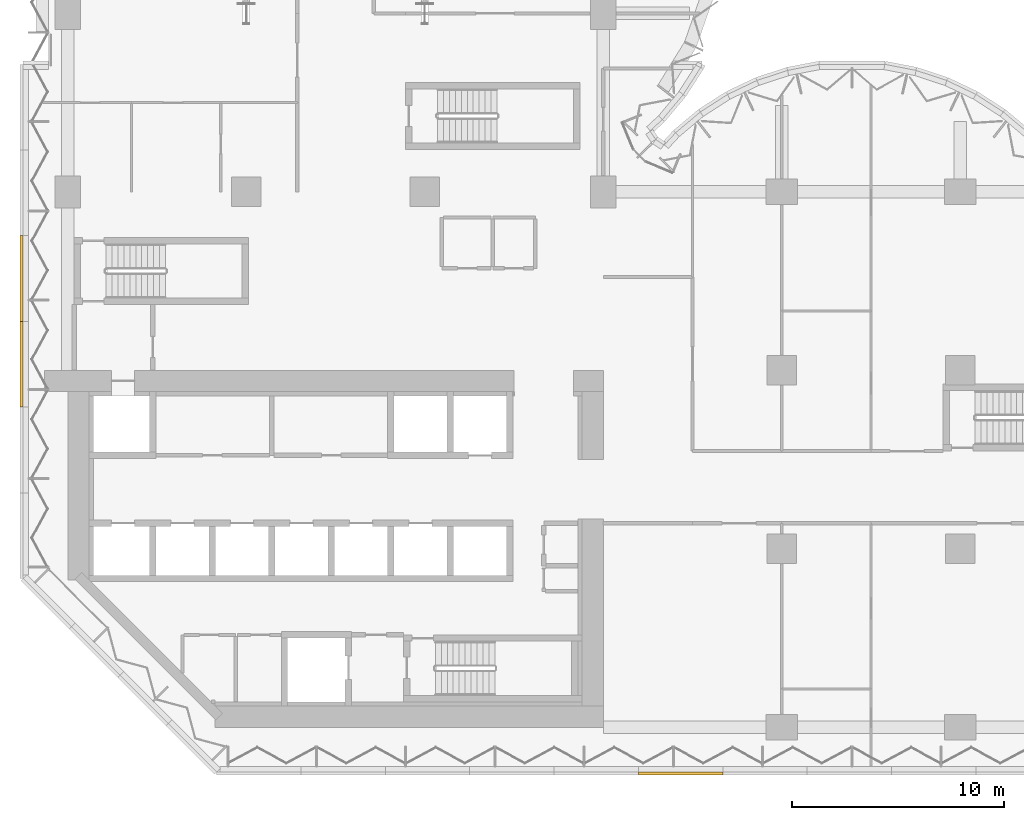
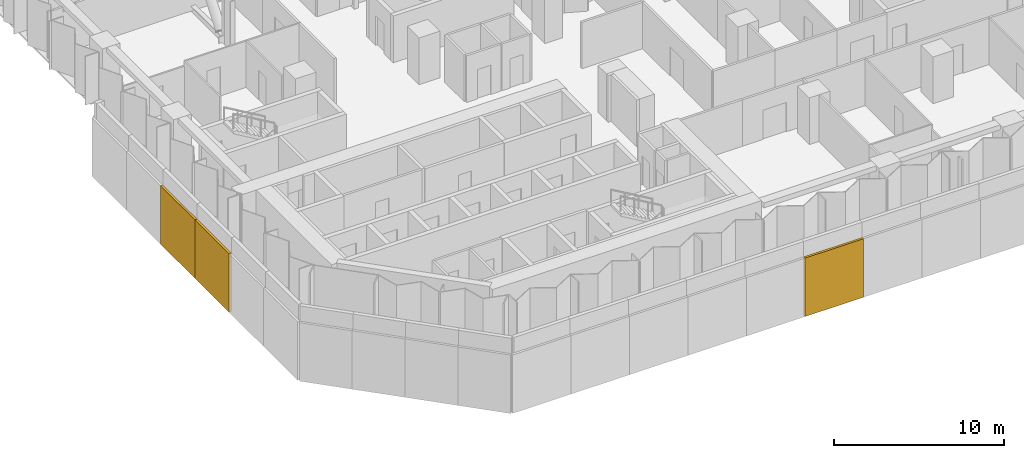
# One storey, part 18 of 24: 3 coverings.
"""IFC4 building model written with IfcOpenShell, lengths in metres."""

import ifcopenshell
import ifcopenshell.guid

model = None  # the IFC model being written
_history = None  # IfcOwnerHistory: only IFC2X3 demands one
_inside = {}  # id of a spatial element -> (the spatial element, [elements in it])
_under = {}  # id of a project, library or spatial element -> (it, [spatial elements below it])
_declared = {}  # id of a project -> (the project, [libraries it declares])
_typed = {}  # id of a type object -> (the type object, [elements of that type])
_made_of = {}  # id of a material, layer set ... -> (it, [elements and type objects made of it])


def new_model(schema):
    """Start an empty IFC model of exactly this schema.

    Asked for "IFC4X3", IfcOpenShell would pick the latest addendum, in which some entities
    have other attributes; the version numbers below select the first issue.
    IFC2X3 requires an IfcOwnerHistory on every rooted entity: one is made here for all.
    """
    global model, _history
    if schema == "IFC4X3":
        model = ifcopenshell.file(schema_version=(4, 3, 0, 0))
    else:
        model = ifcopenshell.file(schema=schema)
    _inside.clear()
    _under.clear()
    _declared.clear()
    _typed.clear()
    _made_of.clear()
    _history = None
    if model.schema == "IFC2X3":
        org = make("IfcOrganization", Name="unknown")
        user = make(
            "IfcPersonAndOrganization",
            ThePerson=make("IfcPerson", FamilyName="unknown"),
            TheOrganization=org,
        )
        app = make(
            "IfcApplication",
            ApplicationDeveloper=org,
            Version="unknown",
            ApplicationFullName="unknown",
            ApplicationIdentifier="unknown",
        )
        _history = make(
            "IfcOwnerHistory",
            OwningUser=user,
            OwningApplication=app,
            ChangeAction="ADDED",
            CreationDate=0,
        )
    return model


def make(cls, **values):
    """One entity of the class cls with the attributes given. An attribute that is None is left unset."""
    return model.create_entity(
        cls, **{name: value for name, value in values.items() if value is not None}
    )


def rooted(cls, **values):
    """An entity with a GlobalId (a new one), such as an element, a storey or a relation."""
    return make(cls, GlobalId=ifcopenshell.guid.new(), OwnerHistory=_history, **values)


def si_unit(unit_type, name, prefix=None):
    """IfcSIUnit, for example si_unit("LENGTHUNIT", "METRE", prefix="MILLI")."""
    return make("IfcSIUnit", UnitType=unit_type, Prefix=prefix, Name=name)


def assignment(units):
    """IfcUnitAssignment: the units of a project."""
    return None if units is None else make("IfcUnitAssignment", Units=units)


def point(xyz):
    """IfcCartesianPoint."""
    return None if xyz is None else make("IfcCartesianPoint", Coordinates=xyz)


def direction(xyz):
    """IfcDirection."""
    return None if xyz is None else make("IfcDirection", DirectionRatios=xyz)


def frame(location, z_axis=None, x_axis=None):
    """IfcAxis2Placement3D, a coordinate frame: its origin and axes. An axis left out is left unset."""
    return make(
        "IfcAxis2Placement3D",
        Location=point(location),
        Axis=direction(z_axis),
        RefDirection=direction(x_axis),
    )


def origin():
    """The frame at (0, 0, 0) with its axes left unset."""
    return frame((0.0, 0.0, 0.0))


def place(relative_to, where):
    """IfcLocalPlacement: puts the frame where relative to a parent placement (None: the world)."""
    return make(
        "IfcLocalPlacement", PlacementRelTo=relative_to, RelativePlacement=where
    )


def context(
    kind, dimensions, precision=None, world=None, true_north=None, identifier=None
):
    """IfcGeometricRepresentationContext, for example the 3D "Model" context."""
    return make(
        "IfcGeometricRepresentationContext",
        ContextIdentifier=identifier,
        ContextType=kind,
        CoordinateSpaceDimension=dimensions,
        Precision=precision,
        WorldCoordinateSystem=world,
        TrueNorth=true_north,
    )


def subcontext(parent, identifier, kind, view, scale=None):
    """IfcGeometricRepresentationSubContext, for example "Body" below "Model"."""
    return make(
        "IfcGeometricRepresentationSubContext",
        ContextIdentifier=identifier,
        ContextType=kind,
        ParentContext=parent,
        TargetScale=scale,
        TargetView=view,
    )


def project(units=None, contexts=None):
    """IfcProject with its units and contexts."""
    return rooted(
        "IfcProject",
        Name="project",
        RepresentationContexts=contexts,
        UnitsInContext=assignment(units),
    )


def spatial(cls, under=None, at=None, **own):
    """A site, building, storey or space (cls), placed at a placement, below another one or the project."""
    s = rooted(cls, ObjectPlacement=at, **own)
    if under is not None:
        _under.setdefault(under.id(), (under, []))[1].append(s)
    return s


def polyline(points):
    """IfcPolyline through the points."""
    return make("IfcPolyline", Points=[point(p) for p in points])


def outline(outer, holes=None, kind="AREA"):
    """IfcArbitraryClosedProfileDef: a profile drawn as a closed curve; with holes, ...WithVoids."""
    if holes is None:
        return make("IfcArbitraryClosedProfileDef", ProfileType=kind, OuterCurve=outer)
    return make(
        "IfcArbitraryProfileDefWithVoids",
        ProfileType=kind,
        OuterCurve=outer,
        InnerCurves=holes,
    )


def extrude(swept, where, along, depth):
    """IfcExtrudedAreaSolid: the profile swept, set in the frame where, extruded along a direction by depth."""
    return make(
        "IfcExtrudedAreaSolid",
        SweptArea=swept,
        Position=where,
        ExtrudedDirection=direction(along),
        Depth=depth,
    )


def shape(context_of_items, identifier, shape_type, items):
    """IfcShapeRepresentation: the items that make up one representation, for example the "Body"."""
    return make(
        "IfcShapeRepresentation",
        ContextOfItems=context_of_items,
        RepresentationIdentifier=identifier,
        RepresentationType=shape_type,
        Items=items,
    )


def material(Name=None, Category=None):
    """IfcMaterial."""
    return make("IfcMaterial", Name=Name, Category=Category)


def layer(
    of_material, thickness, ventilated=None, Name=None, Category=None, Priority=None
):
    """IfcMaterialLayer: one layer of a wall or slab, of a material (None: an air gap)."""
    return make(
        "IfcMaterialLayer",
        Material=of_material,
        LayerThickness=thickness,
        IsVentilated=ventilated,
        Name=Name,
        Category=Category,
        Priority=Priority,
    )


def layer_set(layers, Name=None):
    """IfcMaterialLayerSet."""
    return make("IfcMaterialLayerSet", MaterialLayers=layers, LayerSetName=Name)


def made_of(thing, what):
    """Note that an element or type object is made of a material, layer set ...; save() writes the relation."""
    if what is not None:
        _made_of.setdefault(what.id(), (what, []))[1].append(thing)
    return thing


def type_object(cls, material=None, **own):
    """A type object (cls), such as IfcWallType, which elements share."""
    return made_of(rooted(cls, **own), material)


def element(
    cls,
    number,
    at=None,
    inside=None,
    cuts=None,
    type_object=None,
    material=None,
    context=None,
    identifier="Body",
    shape_type=None,
    held_by="IfcProductDefinitionShape",
    body=None,
    shapes=None,
    **own,
):
    """One element of the class cls, such as IfcWall. Its Tag is "e" and its number.

    at: its placement. inside: the storey or other place that contains it. cuts: it is an
    opening in that element (IfcRelVoidsElement). A single representation is given by context,
    identifier, shape_type and body (its items); several are given by shapes. held_by: the class
    of the entity that holds the representations. save() writes the other relations.
    """
    e = rooted(cls, Tag="e%d" % number, ObjectPlacement=at, **own)
    if body is not None:
        shapes = [shape(context, identifier, shape_type, body)]
    if shapes is not None:
        e.Representation = make(held_by, Representations=shapes)
    if inside is not None:
        _inside.setdefault(inside.id(), (inside, []))[1].append(e)
    if cuts is not None:
        rooted(
            "IfcRelVoidsElement", RelatingBuildingElement=cuts, RelatedOpeningElement=e
        )
    if type_object is not None:
        _typed.setdefault(type_object.id(), (type_object, []))[1].append(e)
    return made_of(e, material)


def aggregate(whole, parts):
    """IfcRelAggregates: a whole, such as a stair, and the parts it consists of."""
    return rooted("IfcRelAggregates", RelatingObject=whole, RelatedObjects=parts)


def save(model, path):
    """Write the relations noted so far, then the file.

    IfcRelAggregates (storeys below a building ...), IfcRelContainedInSpatialStructure (elements
    in a storey), IfcRelDefinesByType, IfcRelAssociatesMaterial and IfcRelDeclares: one each for
    every whole, place, type object, material and project.
    """
    for whole, parts in _under.values():
        aggregate(whole, parts)
    for where, things in _inside.values():
        rooted(
            "IfcRelContainedInSpatialStructure",
            RelatedElements=things,
            RelatingStructure=where,
        )
    for kind, things in _typed.values():
        rooted("IfcRelDefinesByType", RelatedObjects=things, RelatingType=kind)
    for what, things in _made_of.values():
        rooted("IfcRelAssociatesMaterial", RelatedObjects=things, RelatingMaterial=what)
    for by, libraries in _declared.values():
        rooted("IfcRelDeclares", RelatingContext=by, RelatedDefinitions=libraries)
    model.write(path)


model = new_model("IFC4")

# Units and contexts
model_context = context("Model", 3, precision=1e-05, world=origin(), true_north=direction((0.0, 1.0)))
body_context = subcontext(model_context, "Body", "Model", "MODEL_VIEW")
ifc_project = project(units=[si_unit("LENGTHUNIT", "METRE"), si_unit("AREAUNIT", "SQUARE_METRE"), si_unit("VOLUMEUNIT", "CUBIC_METRE"), si_unit("PLANEANGLEUNIT", "RADIAN"), si_unit("MASSUNIT", "GRAM", prefix="KILO")], contexts=[model_context])

# Site, building, storey
site_placement = place(None, origin())
site = spatial("IfcSite", under=ifc_project, at=site_placement, CompositionType="ELEMENT")
building_placement = place(site_placement, origin())
building = spatial("IfcBuilding", under=site, at=building_placement, Name="Brevane Broadcast Tower", CompositionType="ELEMENT")
storey_placement = place(building_placement, frame((0.0, 0.0, 36.5)))
storey = spatial("IfcBuildingStorey", under=building, at=storey_placement, Name="L06", CompositionType="ELEMENT", Elevation=36.5)

# Coverings
ifc_material = material(Name="Precast concrete C40/50", Category="concrete")
ifc_layer = layer(ifc_material, 0.14990234375)
ifc_layer_set = layer_set([ifc_layer], Name="CORNICE FASCIA CLADDING 4200")
covering_type = type_object("IfcCoveringType", Name="CORNICE FASCIA CLADDING 4200", PredefinedType="CLADDING", material=ifc_layer_set)
covering_1_placement = place(storey_placement, frame((0.0, 0.0, -4.199951171875)))
element("IfcCovering", 1, at=covering_1_placement, inside=storey, type_object=covering_type, Name="Cornice fascia", PredefinedType="CLADDING", context=body_context, shape_type="SweptSolid", body=[
    extrude(outline(polyline([(30.8291015625, -2.10009765625), (26.85791015625, -2.10009765625), (26.85791015625, -2.25), (30.8291015625, -2.25), (30.8291015625, -2.10009765625)])), origin(), (0.0, 0.0, 1.0), 4.199951171875),
])
covering_2_placement = place(storey_placement, frame((0.0, 0.0, -4.199951171875)))
element("IfcCovering", 2, at=covering_2_placement, inside=storey, type_object=covering_type, Name="Cornice fascia", PredefinedType="CLADDING", context=body_context, shape_type="SweptSolid", body=[
    extrude(outline(polyline([(-2.10009765625, 15.068603515625), (-2.10009765625, 19.1015625), (-2.25, 19.1015625), (-2.25, 15.068603515625), (-2.10009765625, 15.068603515625)])), origin(), (0.0, 0.0, 1.0), 4.199951171875),
])
covering_3_placement = place(storey_placement, frame((0.0, 0.0, -4.199951171875)))
element("IfcCovering", 3, at=covering_3_placement, inside=storey, type_object=covering_type, Name="Cornice fascia", PredefinedType="CLADDING", context=body_context, shape_type="SweptSolid", body=[
    extrude(outline(polyline([(-2.10009765625, 19.1015625), (-2.10009765625, 23.13427734375), (-2.25, 23.13427734375), (-2.25, 19.1015625), (-2.10009765625, 19.1015625)])), origin(), (0.0, 0.0, 1.0), 4.199951171875),
])

save(model, "model.ifc")
